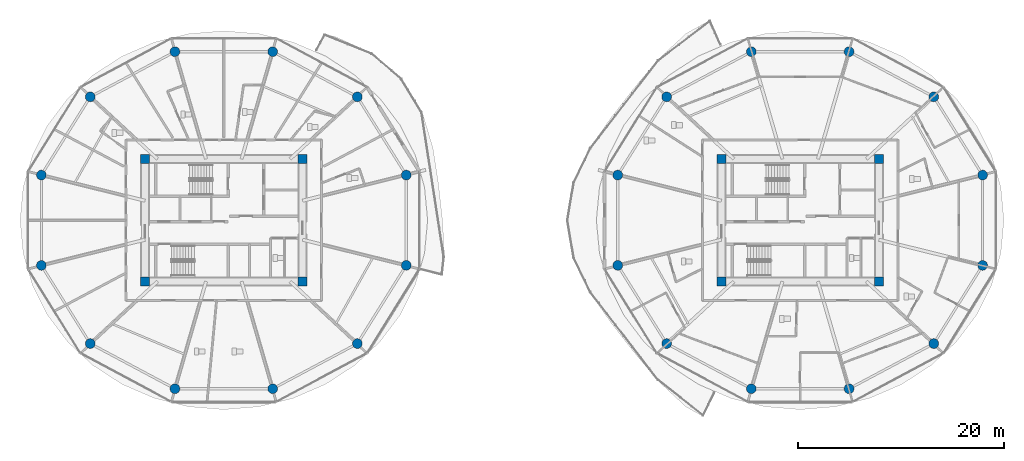
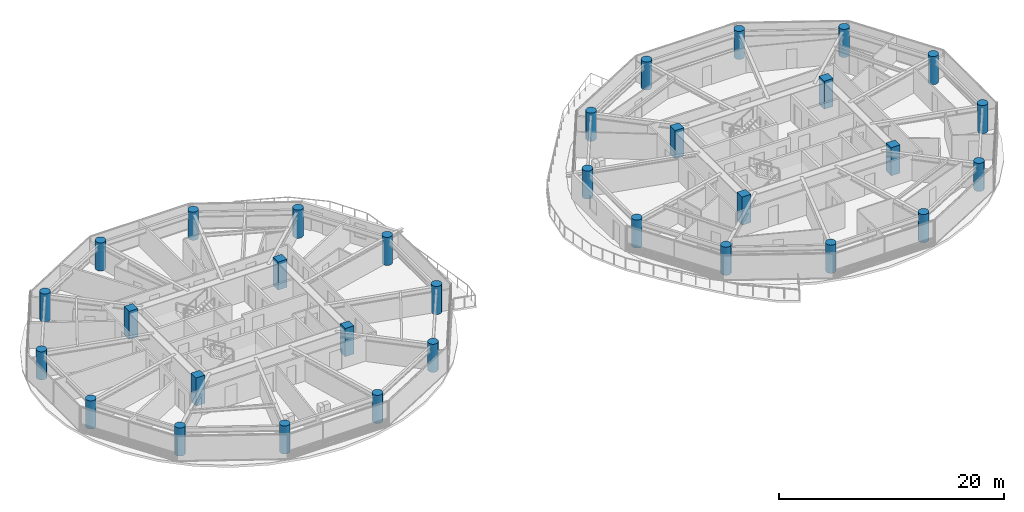
# One storey, part 1 of 26: 32 columns.
"""IFC4 building model written with IfcOpenShell, lengths in metres."""

from ifc_helpers import new_model, si_unit, direction, frame, origin, origin_2d, place, context, subcontext, project, spatial, rectangle, circle, extrude, source, transform, mapped, material, material_profile, profile_set, type_object, type_shapes, element, save


model = new_model("IFC4")

# Units and contexts
model_context = context("Model", 3, precision=1e-05, world=origin(), true_north=direction((0.0, 1.0)))
body_context = subcontext(model_context, "Body", "Model", "MODEL_VIEW")
ifc_project = project(units=[si_unit("LENGTHUNIT", "METRE"), si_unit("AREAUNIT", "SQUARE_METRE"), si_unit("VOLUMEUNIT", "CUBIC_METRE"), si_unit("PLANEANGLEUNIT", "RADIAN"), si_unit("MASSUNIT", "GRAM", prefix="KILO")], contexts=[model_context])

# Site, building, storey
site_placement = place(None, origin())
site = spatial("IfcSite", under=ifc_project, at=site_placement, CompositionType="ELEMENT")
building_placement = place(site_placement, origin())
building = spatial("IfcBuilding", under=site, at=building_placement, Name="Norrkilde Senior Care Towers", CompositionType="ELEMENT")
storey_placement = place(building_placement, frame((0.0, 0.0, 67.35009765625)))
storey = spatial("IfcBuildingStorey", under=building, at=storey_placement, Name="L20", CompositionType="ELEMENT", Elevation=67.35009765625)

# Columns
ifc_material = material(Name="Concrete C60/75", Category="concrete")
ifc_material_profile_1 = material_profile(ifc_material, rectangle(XDim=0.89990234375, YDim=0.89990234375, at=origin_2d()), Name="RC COL 900x900")
ifc_profile_set_1 = profile_set([ifc_material_profile_1], Name="Concrete C60/75")
column_type_1 = type_object("IfcColumnType", Name="Column Core Corner Z1-Z2 900", PredefinedType="COLUMN", material=ifc_profile_set_1)
shared_shape_1 = source(origin(), body_context, "Body", "SweptSolid", [
    extrude(rectangle(XDim=0.89990234375, YDim=0.89990234375, at=origin_2d()), origin(), (0.0, 0.0, 1.0), 3.0498046875),
])
type_shapes(column_type_1, [shared_shape_1])
for number, where, z_axis, x_axis, name in (
    (1, (-35.64990234375, -5.949951171875, 0.0), (0.0, 0.0, 1.0), (1.0, 0.0, 0.0), "L20 Core W Corner Column 1"),
    (2, (-20.35009765625, -5.949951171875, 0.0), (0.0, 0.0, 1.0), (1.0, 0.0, 0.0), "L20 Core W Corner Column 2"),
    (3, (-20.35009765625, 5.949951171875, 0.0), (0.0, 0.0, 1.0), (1.0, 0.0, 0.0), "L20 Core W Corner Column 3"),
    (4, (-35.64990234375, 5.949951171875, 0.0), (0.0, 0.0, 1.0), (1.0, 0.0, 0.0), "L20 Core W Corner Column 4"),
    (5, (20.35009765625, -5.949951171875, 0.0), (0.0, 0.0, 1.0), (1.0, 0.0, 0.0), "L20 Core E Corner Column 1"),
    (6, (35.64990234375, -5.949951171875, 0.0), (0.0, 0.0, 1.0), (1.0, 0.0, 0.0), "L20 Core E Corner Column 2"),
    (7, (35.64990234375, 5.949951171875, 0.0), (0.0, 0.0, 1.0), (1.0, 0.0, 0.0), "L20 Core E Corner Column 3"),
    (8, (20.35009765625, 5.949951171875, 0.0), (0.0, 0.0, 1.0), (1.0, 0.0, 0.0), "L20 Core E Corner Column 4"),
):
    element("IfcColumn", number, at=place(storey_placement, frame(where, z_axis=z_axis, x_axis=x_axis)), inside=storey, type_object=column_type_1, Name=name, PredefinedType="COLUMN", context=body_context, shape_type="MappedRepresentation", body=[
        mapped(shared_shape_1, transform((0.0, 0.0, 0.0), x_axis=(1.0, 0.0, 0.0), y_axis=(0.0, 1.0, 0.0), z_axis=(0.0, 0.0, 1.0), scale=1.0)),
    ])
ifc_material_profile_2 = material_profile(ifc_material, circle(Radius=0.47509765625, at=origin_2d()), Name="RC CIR 950")
ifc_profile_set_2 = profile_set([ifc_material_profile_2], Name="Concrete C60/75")
column_type_2 = type_object("IfcColumnType", Name="Column Perimeter Z1 950", PredefinedType="COLUMN", material=ifc_profile_set_2)
shared_shape_2 = source(origin(), body_context, "Body", "SweptSolid", [
    extrude(circle(Radius=0.47509765625, at=origin_2d()), origin(), (0.0, 0.0, 1.0), 3.0498046875),
])
type_shapes(column_type_2, [shared_shape_2])
for number, where, z_axis, x_axis, name in (
    (9, (-10.275146484375, 4.386962890625, 0.0), (0.0, 0.0, 1.0), (1.0, 0.0, 0.0), "L20 Drum W Perimeter Column 01"),
    (10, (-15.024658203125, 11.9853515625, 0.0), (0.0, 0.0, 1.0), (1.0, 0.0, 0.0), "L20 Drum W Perimeter Column 02"),
    (11, (-23.250732421875, 16.37255859375, 0.0), (0.0, 0.0, 1.0), (1.0, 0.0, 0.0), "L20 Drum W Perimeter Column 03"),
    (12, (-32.749267578125, 16.37255859375, 0.0), (0.0, 0.0, 1.0), (1.0, 0.0, 0.0), "L20 Drum W Perimeter Column 04"),
    (13, (-40.975341796875, 11.9853515625, 0.0), (0.0, 0.0, 1.0), (1.0, 0.0, 0.0), "L20 Drum W Perimeter Column 05"),
    (14, (-45.724853515625, 4.386962890625, 0.0), (0.0, 0.0, 1.0), (1.0, 0.0, 0.0), "L20 Drum W Perimeter Column 06"),
    (15, (-45.724853515625, -4.386962890625, 0.0), (0.0, 0.0, 1.0), (1.0, 0.0, 0.0), "L20 Drum W Perimeter Column 07"),
    (16, (-40.975341796875, -11.9853515625, 0.0), (0.0, 0.0, 1.0), (1.0, 0.0, 0.0), "L20 Drum W Perimeter Column 08"),
    (17, (-32.749267578125, -16.37255859375, 0.0), (0.0, 0.0, 1.0), (1.0, 0.0, 0.0), "L20 Drum W Perimeter Column 09"),
    (18, (-23.250732421875, -16.37255859375, 0.0), (0.0, 0.0, 1.0), (1.0, 0.0, 0.0), "L20 Drum W Perimeter Column 10"),
    (19, (-15.024658203125, -11.9853515625, 0.0), (0.0, 0.0, 1.0), (1.0, 0.0, 0.0), "L20 Drum W Perimeter Column 11"),
    (20, (-10.275146484375, -4.386962890625, 0.0), (0.0, 0.0, 1.0), (1.0, 0.0, 0.0), "L20 Drum W Perimeter Column 12"),
    (21, (45.724853515625, 4.386962890625, 0.0), (0.0, 0.0, 1.0), (1.0, 0.0, 0.0), "L20 Drum E Perimeter Column 01"),
    (22, (40.975341796875, 11.9853515625, 0.0), (0.0, 0.0, 1.0), (1.0, 0.0, 0.0), "L20 Drum E Perimeter Column 02"),
    (23, (32.749267578125, 16.37255859375, 0.0), (0.0, 0.0, 1.0), (1.0, 0.0, 0.0), "L20 Drum E Perimeter Column 03"),
    (24, (23.250732421875, 16.37255859375, 0.0), (0.0, 0.0, 1.0), (1.0, 0.0, 0.0), "L20 Drum E Perimeter Column 04"),
    (25, (15.024658203125, 11.9853515625, 0.0), (0.0, 0.0, 1.0), (1.0, 0.0, 0.0), "L20 Drum E Perimeter Column 05"),
    (26, (10.275146484375, 4.386962890625, 0.0), (0.0, 0.0, 1.0), (1.0, 0.0, 0.0), "L20 Drum E Perimeter Column 06"),
    (27, (10.275146484375, -4.386962890625, 0.0), (0.0, 0.0, 1.0), (1.0, 0.0, 0.0), "L20 Drum E Perimeter Column 07"),
    (28, (15.024658203125, -11.9853515625, 0.0), (0.0, 0.0, 1.0), (1.0, 0.0, 0.0), "L20 Drum E Perimeter Column 08"),
    (29, (23.250732421875, -16.37255859375, 0.0), (0.0, 0.0, 1.0), (1.0, 0.0, 0.0), "L20 Drum E Perimeter Column 09"),
    (30, (32.749267578125, -16.37255859375, 0.0), (0.0, 0.0, 1.0), (1.0, 0.0, 0.0), "L20 Drum E Perimeter Column 10"),
    (31, (40.975341796875, -11.9853515625, 0.0), (0.0, 0.0, 1.0), (1.0, 0.0, 0.0), "L20 Drum E Perimeter Column 11"),
    (32, (45.724853515625, -4.386962890625, 0.0), (0.0, 0.0, 1.0), (1.0, 0.0, 0.0), "L20 Drum E Perimeter Column 12"),
):
    element("IfcColumn", number, at=place(storey_placement, frame(where, z_axis=z_axis, x_axis=x_axis)), inside=storey, type_object=column_type_2, Name=name, PredefinedType="COLUMN", context=body_context, shape_type="MappedRepresentation", body=[
        mapped(shared_shape_2, transform((0.0, 0.0, 0.0), x_axis=(1.0, 0.0, 0.0), y_axis=(0.0, 1.0, 0.0), z_axis=(0.0, 0.0, 1.0), scale=1.0)),
    ])

save(model, "model.ifc")
